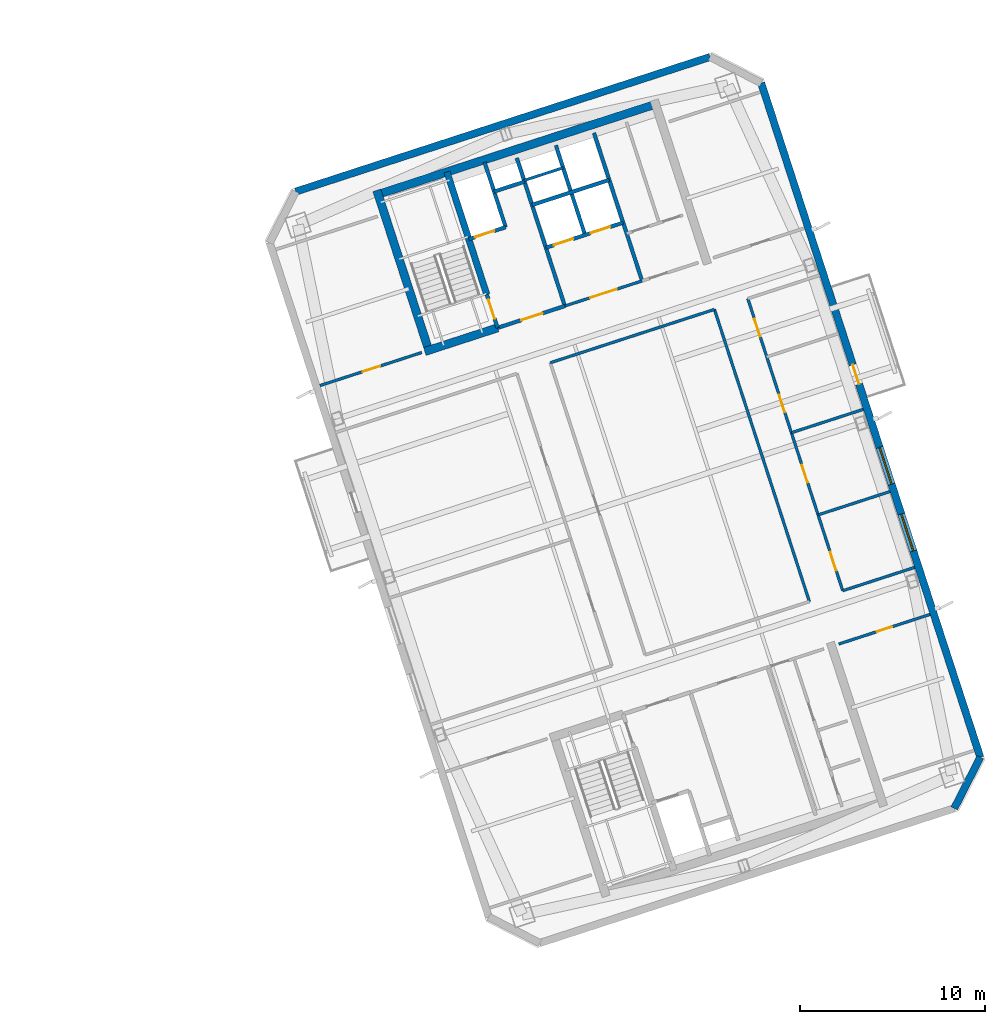
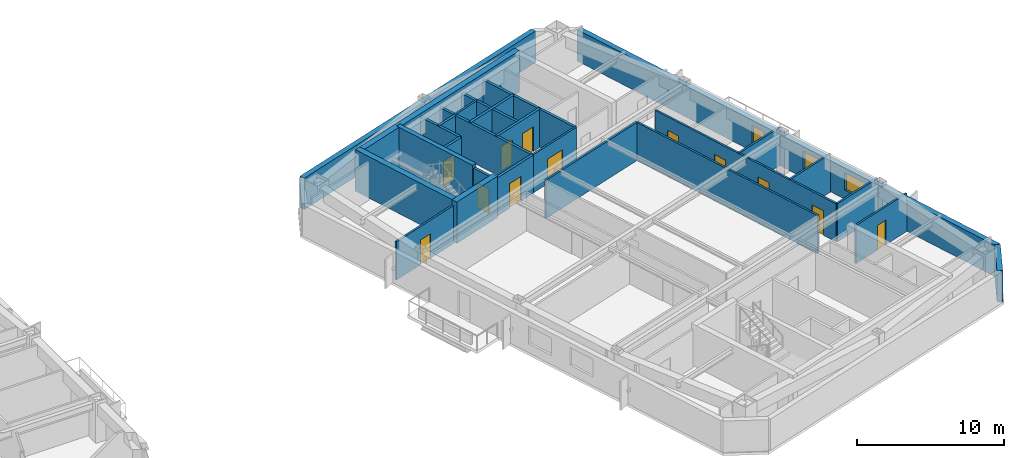
# One storey, part 9 of 17: 27 walls, 13 doors, 2 windows, 15 openings.
"""IFC4 building model written with IfcOpenShell, lengths in metres."""

import ifcopenshell
import ifcopenshell.guid

model = None  # the IFC model being written
_history = None  # IfcOwnerHistory: only IFC2X3 demands one
_inside = {}  # id of a spatial element -> (the spatial element, [elements in it])
_under = {}  # id of a project, library or spatial element -> (it, [spatial elements below it])
_declared = {}  # id of a project -> (the project, [libraries it declares])
_typed = {}  # id of a type object -> (the type object, [elements of that type])
_made_of = {}  # id of a material, layer set ... -> (it, [elements and type objects made of it])


def new_model(schema):
    """Start an empty IFC model of exactly this schema.

    Asked for "IFC4X3", IfcOpenShell would pick the latest addendum, in which some entities
    have other attributes; the version numbers below select the first issue.
    IFC2X3 requires an IfcOwnerHistory on every rooted entity: one is made here for all.
    """
    global model, _history
    if schema == "IFC4X3":
        model = ifcopenshell.file(schema_version=(4, 3, 0, 0))
    else:
        model = ifcopenshell.file(schema=schema)
    _inside.clear()
    _under.clear()
    _declared.clear()
    _typed.clear()
    _made_of.clear()
    _history = None
    if model.schema == "IFC2X3":
        org = make("IfcOrganization", Name="unknown")
        user = make(
            "IfcPersonAndOrganization",
            ThePerson=make("IfcPerson", FamilyName="unknown"),
            TheOrganization=org,
        )
        app = make(
            "IfcApplication",
            ApplicationDeveloper=org,
            Version="unknown",
            ApplicationFullName="unknown",
            ApplicationIdentifier="unknown",
        )
        _history = make(
            "IfcOwnerHistory",
            OwningUser=user,
            OwningApplication=app,
            ChangeAction="ADDED",
            CreationDate=0,
        )
    return model


def make(cls, **values):
    """One entity of the class cls with the attributes given. An attribute that is None is left unset."""
    return model.create_entity(
        cls, **{name: value for name, value in values.items() if value is not None}
    )


def rooted(cls, **values):
    """An entity with a GlobalId (a new one), such as an element, a storey or a relation."""
    return make(cls, GlobalId=ifcopenshell.guid.new(), OwnerHistory=_history, **values)


def si_unit(unit_type, name, prefix=None):
    """IfcSIUnit, for example si_unit("LENGTHUNIT", "METRE", prefix="MILLI")."""
    return make("IfcSIUnit", UnitType=unit_type, Prefix=prefix, Name=name)


def assignment(units):
    """IfcUnitAssignment: the units of a project."""
    return None if units is None else make("IfcUnitAssignment", Units=units)


def point(xyz):
    """IfcCartesianPoint."""
    return None if xyz is None else make("IfcCartesianPoint", Coordinates=xyz)


def direction(xyz):
    """IfcDirection."""
    return None if xyz is None else make("IfcDirection", DirectionRatios=xyz)


def frame(location, z_axis=None, x_axis=None):
    """IfcAxis2Placement3D, a coordinate frame: its origin and axes. An axis left out is left unset."""
    return make(
        "IfcAxis2Placement3D",
        Location=point(location),
        Axis=direction(z_axis),
        RefDirection=direction(x_axis),
    )


def frame_2d(location, x_axis=None):
    """IfcAxis2Placement2D, a coordinate frame in the plane: its origin and x axis."""
    return make(
        "IfcAxis2Placement2D", Location=point(location), RefDirection=direction(x_axis)
    )


def origin():
    """The frame at (0, 0, 0) with its axes left unset."""
    return frame((0.0, 0.0, 0.0))


def place(relative_to, where):
    """IfcLocalPlacement: puts the frame where relative to a parent placement (None: the world)."""
    return make(
        "IfcLocalPlacement", PlacementRelTo=relative_to, RelativePlacement=where
    )


def context(
    kind, dimensions, precision=None, world=None, true_north=None, identifier=None
):
    """IfcGeometricRepresentationContext, for example the 3D "Model" context."""
    return make(
        "IfcGeometricRepresentationContext",
        ContextIdentifier=identifier,
        ContextType=kind,
        CoordinateSpaceDimension=dimensions,
        Precision=precision,
        WorldCoordinateSystem=world,
        TrueNorth=true_north,
    )


def subcontext(parent, identifier, kind, view, scale=None):
    """IfcGeometricRepresentationSubContext, for example "Body" below "Model"."""
    return make(
        "IfcGeometricRepresentationSubContext",
        ContextIdentifier=identifier,
        ContextType=kind,
        ParentContext=parent,
        TargetScale=scale,
        TargetView=view,
    )


def project(units=None, contexts=None):
    """IfcProject with its units and contexts."""
    return rooted(
        "IfcProject",
        Name="project",
        RepresentationContexts=contexts,
        UnitsInContext=assignment(units),
    )


def spatial(cls, under=None, at=None, **own):
    """A site, building, storey or space (cls), placed at a placement, below another one or the project."""
    s = rooted(cls, ObjectPlacement=at, **own)
    if under is not None:
        _under.setdefault(under.id(), (under, []))[1].append(s)
    return s


def profile(cls, at=None, kind="AREA", **sizes):
    """A parametric profile (cls). Its sizes go by their IFC names, for example OverallWidth=200.0."""
    return make(cls, ProfileType=kind, Position=at, **sizes)


def rectangle(**sizes):
    """IfcRectangleProfileDef."""
    return profile("IfcRectangleProfileDef", **sizes)


def extrude(swept, where, along, depth):
    """IfcExtrudedAreaSolid: the profile swept, set in the frame where, extruded along a direction by depth."""
    return make(
        "IfcExtrudedAreaSolid",
        SweptArea=swept,
        Position=where,
        ExtrudedDirection=direction(along),
        Depth=depth,
    )


def shape(context_of_items, identifier, shape_type, items):
    """IfcShapeRepresentation: the items that make up one representation, for example the "Body"."""
    return make(
        "IfcShapeRepresentation",
        ContextOfItems=context_of_items,
        RepresentationIdentifier=identifier,
        RepresentationType=shape_type,
        Items=items,
    )


def material(Name=None, Category=None):
    """IfcMaterial."""
    return make("IfcMaterial", Name=Name, Category=Category)


def layer(
    of_material, thickness, ventilated=None, Name=None, Category=None, Priority=None
):
    """IfcMaterialLayer: one layer of a wall or slab, of a material (None: an air gap)."""
    return make(
        "IfcMaterialLayer",
        Material=of_material,
        LayerThickness=thickness,
        IsVentilated=ventilated,
        Name=Name,
        Category=Category,
        Priority=Priority,
    )


def layer_set(layers, Name=None):
    """IfcMaterialLayerSet."""
    return make("IfcMaterialLayerSet", MaterialLayers=layers, LayerSetName=Name)


def made_of(thing, what):
    """Note that an element or type object is made of a material, layer set ...; save() writes the relation."""
    if what is not None:
        _made_of.setdefault(what.id(), (what, []))[1].append(thing)
    return thing


def type_object(cls, material=None, **own):
    """A type object (cls), such as IfcWallType, which elements share."""
    return made_of(rooted(cls, **own), material)


def element(
    cls,
    number,
    at=None,
    inside=None,
    cuts=None,
    type_object=None,
    material=None,
    context=None,
    identifier="Body",
    shape_type=None,
    held_by="IfcProductDefinitionShape",
    body=None,
    shapes=None,
    **own,
):
    """One element of the class cls, such as IfcWall. Its Tag is "e" and its number.

    at: its placement. inside: the storey or other place that contains it. cuts: it is an
    opening in that element (IfcRelVoidsElement). A single representation is given by context,
    identifier, shape_type and body (its items); several are given by shapes. held_by: the class
    of the entity that holds the representations. save() writes the other relations.
    """
    e = rooted(cls, Tag="e%d" % number, ObjectPlacement=at, **own)
    if body is not None:
        shapes = [shape(context, identifier, shape_type, body)]
    if shapes is not None:
        e.Representation = make(held_by, Representations=shapes)
    if inside is not None:
        _inside.setdefault(inside.id(), (inside, []))[1].append(e)
    if cuts is not None:
        rooted(
            "IfcRelVoidsElement", RelatingBuildingElement=cuts, RelatedOpeningElement=e
        )
    if type_object is not None:
        _typed.setdefault(type_object.id(), (type_object, []))[1].append(e)
    return made_of(e, material)


def fill(opening, filler):
    """IfcRelFillsElement: the door or window that sits in an opening."""
    return rooted(
        "IfcRelFillsElement",
        RelatingOpeningElement=opening,
        RelatedBuildingElement=filler,
    )


def aggregate(whole, parts):
    """IfcRelAggregates: a whole, such as a stair, and the parts it consists of."""
    return rooted("IfcRelAggregates", RelatingObject=whole, RelatedObjects=parts)


def save(model, path):
    """Write the relations noted so far, then the file.

    IfcRelAggregates (storeys below a building ...), IfcRelContainedInSpatialStructure (elements
    in a storey), IfcRelDefinesByType, IfcRelAssociatesMaterial and IfcRelDeclares: one each for
    every whole, place, type object, material and project.
    """
    for whole, parts in _under.values():
        aggregate(whole, parts)
    for where, things in _inside.values():
        rooted(
            "IfcRelContainedInSpatialStructure",
            RelatedElements=things,
            RelatingStructure=where,
        )
    for kind, things in _typed.values():
        rooted("IfcRelDefinesByType", RelatedObjects=things, RelatingType=kind)
    for what, things in _made_of.values():
        rooted("IfcRelAssociatesMaterial", RelatedObjects=things, RelatingMaterial=what)
    for by, libraries in _declared.values():
        rooted("IfcRelDeclares", RelatingContext=by, RelatedDefinitions=libraries)
    model.write(path)


model = new_model("IFC4")

# Units and contexts
model_context = context("Model", 3, precision=1e-05, world=origin(), true_north=direction((0.0, 1.0)))
body_context = subcontext(model_context, "Body", "Model", "MODEL_VIEW")
ifc_project = project(units=[si_unit("LENGTHUNIT", "METRE"), si_unit("AREAUNIT", "SQUARE_METRE"), si_unit("VOLUMEUNIT", "CUBIC_METRE"), si_unit("PLANEANGLEUNIT", "RADIAN"), si_unit("MASSUNIT", "GRAM", prefix="KILO")], contexts=[model_context])

# Site, building, storey
site_placement = place(None, origin())
site = spatial("IfcSite", under=ifc_project, at=site_placement, CompositionType="ELEMENT")
building_placement = place(site_placement, origin())
building = spatial("IfcBuilding", under=site, at=building_placement, Name="Qiaolan Cultural Towers", CompositionType="ELEMENT")
storey_placement = place(building_placement, frame((0.0, 0.0, 205.85009765625)))
storey = spatial("IfcBuildingStorey", under=building, at=storey_placement, Name="L55", CompositionType="ELEMENT", Elevation=205.85009765625)

# Walls
ifc_material_1 = material(Name="Concrete C50", Category="concrete")
ifc_layer_1 = layer(ifc_material_1, 0.35009765625)
ifc_layer_set_1 = layer_set([ifc_layer_1], Name="Concrete C50")
wall_type_1 = type_object("IfcWallType", Name="WL-CORE-350", PredefinedType="SHEAR", material=ifc_layer_set_1)
wall_1_placement = place(storey_placement, frame((82.513671875, 45.13134765625, 0.0), z_axis=(0.0, 0.0, 1.0), x_axis=(-0.308988790936, 0.951065679686, 0.0)))
element("IfcWall", 1, at=wall_1_placement, inside=storey, type_object=wall_type_1, Name="L55 T2-CN Stair Core Dividing Web", PredefinedType="SHEAR", context=body_context, shape_type="SweptSolid", body=[
    extrude(rectangle(XDim=6.97998046875, YDim=0.35009765625, at=frame_2d((3.489990234375, 0.0))), origin(), (0.0, 0.0, 1.0), 3.449951171875),
])
ifc_material_2 = material(Name="Concrete C50", Category="concrete")
ifc_layer_2 = layer(ifc_material_2, 0.449951171875)
ifc_layer_set_2 = layer_set([ifc_layer_2], Name="Concrete C50")
wall_type_2 = type_object("IfcWallType", Name="WL-CORE-450", PredefinedType="SHEAR", material=ifc_layer_set_2)
wall_2_placement = place(storey_placement, frame((76.414794921875, 50.489013671875, 0.0), z_axis=(0.0, 0.0, 1.0), x_axis=(0.951056810414, 0.309016089169, 0.0)))
element("IfcWall", 2, at=wall_2_placement, inside=storey, type_object=wall_type_2, Name="L55 T2-CN Outer Core Shear Wall", PredefinedType="SHEAR", context=body_context, shape_type="SweptSolid", body=[
    extrude(rectangle(XDim=16.25, YDim=0.449951171875, at=frame_2d((8.125, 0.0))), origin(), (0.0, 0.0, 1.0), 3.449951171875),
])
wall_3_placement = place(storey_placement, frame((79.4423828125, 41.899169921875, 0.0), z_axis=(0.0, 0.0, 1.0), x_axis=(-0.309035778627, 0.951050412717, 0.0)))
element("IfcWall", 3, at=wall_3_placement, inside=storey, type_object=wall_type_2, Name="L55 T2-CN West Core Shear Wall", PredefinedType="SHEAR", context=body_context, shape_type="SweptSolid", body=[
    extrude(rectangle(XDim=9.330078125, YDim=0.449951171875, at=frame_2d((4.6650390625, 0.0))), origin(), (0.0, 0.0, 1.0), 3.449951171875),
])
wall_4_placement = place(storey_placement, frame((79.15869140625, 42.04345703125, 0.0), z_axis=(0.0, 0.0, 1.0), x_axis=(0.951047485828, 0.309044785913, 0.0)))
element("IfcWall", 4, at=wall_4_placement, inside=storey, type_object=wall_type_2, Name="L55 T2-CN Stair Front Shear Wall", PredefinedType="SHEAR", context=body_context, shape_type="SweptSolid", body=[
    extrude(rectangle(XDim=4.14501953125, YDim=0.449951171875, at=frame_2d((2.072509765625, 0.0))), origin(), (0.0, 0.0, 1.0), 3.449951171875),
])
ifc_material_3 = material(Name="Precast Concrete C50 Honed Stone Pier", Category="masonry")
ifc_layer_3 = layer(ifc_material_3, 0.39990234375)
ifc_layer_set_3 = layer_set([ifc_layer_3], Name="Precast Concrete C50 Honed Stone Pier")
wall_type_3 = type_object("IfcWallType", Name="WL-EXT-PIER-400", PredefinedType="SOLIDWALL", material=ifc_layer_set_3)
wall_5_placement = place(storey_placement, frame((72.16455078125, 50.706298828125, 0.0), z_axis=(0.0, 0.0, 1.0), x_axis=(0.951058012937, 0.309012388148, 0.0)))
element("IfcWall", 5, at=wall_5_placement, inside=storey, type_object=wall_type_3, Name="L55 East Tower Precast Pier Facade Wall F3", PredefinedType="SOLIDWALL", context=body_context, shape_type="SweptSolid", body=[
    extrude(rectangle(XDim=23.60009765625, YDim=0.39990234375, at=frame_2d((11.800048828125, 0.0))), origin(), (0.0, 0.0, 1.0), 2.60986328125),
])

# Wall, openings, door, windows
wall_6_placement = place(storey_placement, frame((97.381591796875, 56.58642578125, 0.0), z_axis=(0.0, 0.0, 1.0), x_axis=(0.309016491071, -0.951056679828, 0.0)))
wall_6 = element("IfcWall", 6, at=wall_6_placement, inside=storey, type_object=wall_type_3, Name="L55 East Tower Precast Pier Facade Wall F5", PredefinedType="SOLIDWALL", context=body_context, shape_type="SweptSolid", body=[
    extrude(rectangle(XDim=38.39990234375, YDim=0.39990234375, at=frame_2d((19.199951171875, 0.0))), origin(), (0.0, 0.0, 1.0), 2.60986328125),
])
opening_1_placement = place(wall_6_placement, frame((24.550048828125, 0.0, 0.75)))
opening_1 = element("IfcOpeningElement", 7, at=opening_1_placement, cuts=wall_6, Name="Opening W-05", PredefinedType="OPENING", context=body_context, shape_type="SweptSolid", body=[
    extrude(rectangle(XDim=2.10009765625, YDim=1.4599609375, at=frame_2d((1.050048828125, 0.72998046875))), frame((0.0, 0.2099609375, 0.0), z_axis=(0.0, -1.0, 0.0), x_axis=(1.0, 0.0, 0.0)), (0.0, 0.0, 1.0), 0.419921875),
])
opening_2_placement = place(wall_6_placement, frame((20.75, 0.0, 0.75)))
opening_2 = element("IfcOpeningElement", 8, at=opening_2_placement, cuts=wall_6, Name="Opening W-05", PredefinedType="OPENING", context=body_context, shape_type="SweptSolid", body=[
    extrude(rectangle(XDim=2.10009765625, YDim=1.4599609375, at=frame_2d((1.050048828125, 0.72998046875))), frame((0.0, 0.2099609375, 0.0), z_axis=(0.0, -1.0, 0.0), x_axis=(1.0, 0.0, 0.0)), (0.0, 0.0, 1.0), 0.419921875),
])
opening_3_placement = place(wall_6_placement, frame((16.050048828125, 0.0, 0.0)))
opening_3 = element("IfcOpeningElement", 9, at=opening_3_placement, cuts=wall_6, Name="Opening BD-01", PredefinedType="OPENING", context=body_context, shape_type="SweptSolid", body=[
    extrude(rectangle(XDim=1.10009765625, YDim=2.14990234375, at=frame_2d((0.550048828125, 1.074951171875))), frame((0.0, 0.2099609375, 0.0), z_axis=(0.0, -1.0, 0.0), x_axis=(1.0, 0.0, 0.0)), (0.0, 0.0, 1.0), 0.419921875),
])
ifc_material_4 = material(Name="Thermally Broken Aluminium Glazed Terrace Door", Category="aluminium")
door_type_1 = type_object("IfcDoorType", Name="DR-BAL-1100", OperationType="NOTDEFINED", PredefinedType="DOOR", material=ifc_material_4)
door_1_placement = place(opening_3_placement, origin())
door_1 = element("IfcDoor", 10, at=door_1_placement, inside=storey, type_object=door_type_1, Name="L55 T2 East Tree Balcony Door", OperationType="SINGLE_SWING_RIGHT", OverallHeight=2.14990234375, OverallWidth=1.10009765625, PredefinedType="DOOR", context=body_context, shape_type="SweptSolid", body=[
    extrude(rectangle(XDim=1.10009765625, YDim=2.14990234375, at=frame_2d((0.550048828125, 1.074951171875))), frame((0.0, 0.02490234375, 0.0), z_axis=(0.0, -1.0, 0.0), x_axis=(1.0, 0.0, 0.0)), (0.0, 0.0, 1.0), 0.050048828125),
])
fill(opening_3, door_1)
ifc_material_5 = material(Name="Thermally Broken Aluminium Triple Low-E Glazing", Category="aluminium")
window_type = type_object("IfcWindowType", Name="WN-CHIC-2100", PartitioningType="SINGLE_PANEL", PredefinedType="WINDOW", material=ifc_material_5)
window_1_placement = place(opening_1_placement, origin())
window_1 = element("IfcWindow", 11, at=window_1_placement, inside=storey, type_object=window_type, Name="L55 T2 E Chicago Bay Window 1", OverallHeight=1.4599609375, OverallWidth=2.10009765625, PartitioningType="TRIPLE_PANEL_VERTICAL", PredefinedType="WINDOW", context=body_context, shape_type="SweptSolid", body=[
    extrude(rectangle(XDim=2.10009765625, YDim=1.4599609375, at=frame_2d((1.050048828125, 0.72998046875))), frame((0.0, 0.030029296875, 0.0), z_axis=(0.0, -1.0, 0.0), x_axis=(1.0, 0.0, 0.0)), (0.0, 0.0, 1.0), 0.06005859375),
])
fill(opening_1, window_1)
window_2_placement = place(opening_2_placement, origin())
window_2 = element("IfcWindow", 12, at=window_2_placement, inside=storey, type_object=window_type, Name="L55 T2 E Chicago Bay Window 2", OverallHeight=1.4599609375, OverallWidth=2.10009765625, PartitioningType="TRIPLE_PANEL_VERTICAL", PredefinedType="WINDOW", context=body_context, shape_type="SweptSolid", body=[
    extrude(rectangle(XDim=2.10009765625, YDim=1.4599609375, at=frame_2d((1.050048828125, 0.72998046875))), frame((0.0, 0.030029296875, 0.0), z_axis=(0.0, -1.0, 0.0), x_axis=(1.0, 0.0, 0.0)), (0.0, 0.0, 1.0), 0.06005859375),
])
fill(opening_2, window_2)

# Wall
wall_7_placement = place(storey_placement, frame((109.247802734375, 20.06591796875, 0.0), z_axis=(0.0, 0.0, 1.0), x_axis=(-0.453949291228, -0.891027519774, 0.0)))
element("IfcWall", 13, at=wall_7_placement, inside=storey, type_object=wall_type_3, Name="L55 East Tower Precast Pier Facade Wall F6", PredefinedType="SOLIDWALL", context=body_context, shape_type="SweptSolid", body=[
    extrude(rectangle(XDim=3.111328125, YDim=0.39990234375, at=frame_2d((1.5556640625, 0.0))), origin(), (0.0, 0.0, 1.0), 2.60986328125),
])

# Wall, opening, door
ifc_material_6 = material(Name="Concrete C35 Fire Wall", Category="concrete")
ifc_layer_4 = layer(ifc_material_6, 0.199951171875)
ifc_layer_set_4 = layer_set([ifc_layer_4], Name="Concrete C35 Fire Wall")
wall_type_4 = type_object("IfcWallType", Name="WL-FIRE-200", PredefinedType="PARTITIONING", material=ifc_layer_set_4)
wall_8_placement = place(storey_placement, frame((83.100830078125, 43.324462890625, 0.0), z_axis=(0.0, 0.0, 1.0), x_axis=(-0.309048298632, 0.951046344356, 0.0)))
wall_8 = element("IfcWall", 14, at=wall_8_placement, inside=storey, type_object=wall_type_4, Name="L55 T2-CN Smokeproof Stair Entry Wall", PredefinedType="PARTITIONING", context=body_context, shape_type="SweptSolid", body=[
    extrude(rectangle(XDim=1.89990234375, YDim=0.199951171875, at=frame_2d((0.949951171875, 0.0))), origin(), (0.0, 0.0, 1.0), 3.1748046875),
])
opening_4_placement = place(wall_8_placement, frame((0.52001953125, 0.0, 0.0)))
opening_4 = element("IfcOpeningElement", 15, at=opening_4_placement, cuts=wall_8, Name="Opening FD-04", PredefinedType="OPENING", context=body_context, shape_type="SweptSolid", body=[
    extrude(rectangle(XDim=1.10009765625, YDim=2.050048828125, at=frame_2d((0.550048828125, 1.02490234375))), frame((0.0, 0.10986328125, 0.0), z_axis=(0.0, -1.0, 0.0), x_axis=(1.0, 0.0, 0.0)), (0.0, 0.0, 1.0), 0.219970703125),
])
ifc_material_7 = material(Name="Galvanized Steel Command Fire Door", Category="steel")
door_type_2 = type_object("IfcDoorType", Name="DR-FD90-1100", OperationType="NOTDEFINED", PredefinedType="DOOR", material=ifc_material_7)
door_2_placement = place(opening_4_placement, origin())
door_2 = element("IfcDoor", 16, at=door_2_placement, inside=storey, type_object=door_type_2, Name="L55 ST-E2 Smokeproof Stair Fire Door", OperationType="SINGLE_SWING_LEFT", OverallHeight=2.050048828125, OverallWidth=1.10009765625, PredefinedType="DOOR", context=body_context, shape_type="SweptSolid", body=[
    extrude(rectangle(XDim=1.10009765625, YDim=2.050048828125, at=frame_2d((0.550048828125, 1.02490234375))), frame((0.0, 0.02490234375, 0.0), z_axis=(0.0, -1.0, 0.0), x_axis=(1.0, 0.0, 0.0)), (0.0, 0.0, 1.0), 0.050048828125),
])
fill(opening_4, door_2)

# Wall
wall_9_placement = place(storey_placement, frame((86.743408203125, 44.508056640625, 0.0), z_axis=(0.0, 0.0, 1.0), x_axis=(-0.309016001439, 0.951056838919, 0.0)))
element("IfcWall", 17, at=wall_9_placement, inside=storey, type_object=wall_type_4, Name="L55 T2-CN Firefighting Zone Wall", PredefinedType="PARTITIONING", context=body_context, shape_type="SweptSolid", body=[
    extrude(rectangle(XDim=8.429931640625, YDim=0.199951171875, at=frame_2d((4.21484375, 0.0))), origin(), (0.0, 0.0, 1.0), 3.1748046875),
])

# Wall, opening, door
wall_10_placement = place(storey_placement, frame((83.100830078125, 43.324462890625, 0.0), z_axis=(0.0, 0.0, 1.0), x_axis=(0.951052804469, 0.309028417967, 0.0)))
wall_10 = element("IfcWall", 18, at=wall_10_placement, inside=storey, type_object=wall_type_4, Name="L55 T2-CN Firefighting Lobby Front Wall", PredefinedType="PARTITIONING", context=body_context, shape_type="SweptSolid", body=[
    extrude(rectangle(XDim=3.830078125, YDim=0.199951171875, at=frame_2d((1.9150390625, 0.0))), origin(), (0.0, 0.0, 1.0), 3.1748046875),
])
opening_5_placement = place(wall_10_placement, frame((1.35009765625, 0.0, 0.0)))
opening_5 = element("IfcOpeningElement", 19, at=opening_5_placement, cuts=wall_10, Name="Opening FD-03", PredefinedType="OPENING", context=body_context, shape_type="SweptSolid", body=[
    extrude(rectangle(XDim=1.199951171875, YDim=2.050048828125, at=frame_2d((0.60009765625, 1.02490234375))), frame((0.0, 0.10986328125, 0.0), z_axis=(0.0, -1.0, 0.0), x_axis=(1.0, 0.0, 0.0)), (0.0, 0.0, 1.0), 0.219970703125),
])
ifc_material_8 = material(Name="Galvanized Steel Smokeproof Lobby Fire Door", Category="steel")
door_type_3 = type_object("IfcDoorType", Name="DR-FD90-1200", OperationType="NOTDEFINED", PredefinedType="DOOR", material=ifc_material_8)
door_3_placement = place(opening_5_placement, origin())
door_3 = element("IfcDoor", 20, at=door_3_placement, inside=storey, type_object=door_type_3, Name="L55 FFL-E2 Firefighting Lobby Fire Door", OperationType="SINGLE_SWING_LEFT", OverallHeight=2.050048828125, OverallWidth=1.199951171875, PredefinedType="DOOR", context=body_context, shape_type="SweptSolid", body=[
    extrude(rectangle(XDim=1.199951171875, YDim=2.050048828125, at=frame_2d((0.60009765625, 1.02490234375))), frame((0.0, 0.02490234375, 0.0), z_axis=(0.0, -1.0, 0.0), x_axis=(1.0, 0.0, 0.0)), (0.0, 0.0, 1.0), 0.050048828125),
])
fill(opening_5, door_3)

wall_11_placement = place(storey_placement, frame((81.540283203125, 48.127197265625, 0.0), z_axis=(0.0, 0.0, 1.0), x_axis=(0.951062257173, 0.308999325213, 0.0)))
wall_11 = element("IfcWall", 21, at=wall_11_placement, inside=storey, type_object=wall_type_4, Name="L55 T2-CN Firefighting Shaft Front Wall", PredefinedType="PARTITIONING", context=body_context, shape_type="SweptSolid", body=[
    extrude(rectangle(XDim=2.10009765625, YDim=0.199951171875, at=frame_2d((1.050048828125, 0.0))), origin(), (0.0, 0.0, 1.0), 3.1748046875),
])
opening_6_placement = place(wall_11_placement, frame((0.35009765625, 0.0, 0.0)))
opening_6 = element("IfcOpeningElement", 22, at=opening_6_placement, cuts=wall_11, Name="Opening LD-01", PredefinedType="OPENING", context=body_context, shape_type="SweptSolid", body=[
    extrude(rectangle(XDim=1.10009765625, YDim=2.050048828125, at=frame_2d((0.550048828125, 1.02490234375))), frame((0.0, 0.10986328125, 0.0), z_axis=(0.0, -1.0, 0.0), x_axis=(1.0, 0.0, 0.0)), (0.0, 0.0, 1.0), 0.219970703125),
])
ifc_material_9 = material(Name="Brushed Stainless Steel S30408 Centre-Parting Lift Landing Door", Category="steel")
door_type_4 = type_object("IfcDoorType", Name="DR-LIFT-1100", OperationType="NOTDEFINED", PredefinedType="DOOR", material=ifc_material_9)
door_4_placement = place(opening_6_placement, origin())
door_4 = element("IfcDoor", 23, at=door_4_placement, inside=storey, type_object=door_type_4, Name="L55 FFL-E2 Firefighting Lift Landing Door", OperationType="DOUBLE_DOOR_SLIDING", OverallHeight=2.050048828125, OverallWidth=1.10009765625, PredefinedType="DOOR", context=body_context, shape_type="SweptSolid", body=[
    extrude(rectangle(XDim=1.10009765625, YDim=2.050048828125, at=frame_2d((0.550048828125, 1.02490234375))), frame((0.0, 0.02490234375, 0.0), z_axis=(0.0, -1.0, 0.0), x_axis=(1.0, 0.0, 0.0)), (0.0, 0.0, 1.0), 0.050048828125),
])
fill(opening_6, door_4)

# Walls
wall_12_placement = place(storey_placement, frame((83.53759765625, 48.776123046875, 0.0), z_axis=(0.0, 0.0, 1.0), x_axis=(-0.3089935693, 0.951064127245, 0.0)))
element("IfcWall", 24, at=wall_12_placement, inside=storey, type_object=wall_type_4, Name="L55 T2-CN Firefighting Hoistway East Wall", PredefinedType="PARTITIONING", context=body_context, shape_type="SweptSolid", body=[
    extrude(rectangle(XDim=3.7001953125, YDim=0.199951171875, at=frame_2d((1.85009765625, 0.0))), origin(), (0.0, 0.0, 1.0), 3.1748046875),
])
wall_13_placement = place(storey_placement, frame((82.910400390625, 50.706787109375, 0.0), z_axis=(0.0, 0.0, 1.0), x_axis=(0.951041328149, 0.309063734775, 0.0)))
element("IfcWall", 25, at=wall_13_placement, inside=storey, type_object=wall_type_4, Name="L55 T2-CN Pressurization Shaft Front Wall", PredefinedType="PARTITIONING", context=body_context, shape_type="SweptSolid", body=[
    extrude(rectangle(XDim=1.72998046875, YDim=0.199951171875, at=frame_2d((0.864990234375, 0.0))), origin(), (0.0, 0.0, 1.0), 3.1748046875),
])
wall_14_placement = place(storey_placement, frame((90.92822265625, 45.86767578125, 0.0), z_axis=(0.0, 0.0, 1.0), x_axis=(-0.309042196757, 0.951048327176, 0.0)))
element("IfcWall", 26, at=wall_14_placement, inside=storey, type_object=wall_type_4, Name="L55 T2-CN Lift Core East Wall", PredefinedType="PARTITIONING", context=body_context, shape_type="SweptSolid", body=[
    extrude(rectangle(XDim=8.429931640625, YDim=0.199951171875, at=frame_2d((4.21484375, 0.0))), origin(), (0.0, 0.0, 1.0), 3.1748046875),
])

# Wall, openings, doors
wall_15_placement = place(storey_placement, frame((85.717529296875, 47.66552734375, 0.0), z_axis=(0.0, 0.0, 1.0), x_axis=(0.951058531764, 0.30901079133, 0.0)))
wall_15 = element("IfcWall", 27, at=wall_15_placement, inside=storey, type_object=wall_type_4, Name="L55 T2-CN Passenger Lift Shaft Front Wall", PredefinedType="PARTITIONING", context=body_context, shape_type="SweptSolid", body=[
    extrude(rectangle(XDim=4.39990234375, YDim=0.199951171875, at=frame_2d((2.199951171875, 0.0))), origin(), (0.0, 0.0, 1.0), 3.1748046875),
])
opening_7_placement = place(wall_15_placement, frame((0.449951171875, 0.0, 0.0)))
opening_7 = element("IfcOpeningElement", 28, at=opening_7_placement, cuts=wall_15, Name="Opening LD-01", PredefinedType="OPENING", context=body_context, shape_type="SweptSolid", body=[
    extrude(rectangle(XDim=1.10009765625, YDim=2.050048828125, at=frame_2d((0.550048828125, 1.02490234375))), frame((0.0, 0.10986328125, 0.0), z_axis=(0.0, -1.0, 0.0), x_axis=(1.0, 0.0, 0.0)), (0.0, 0.0, 1.0), 0.219970703125),
])
opening_8_placement = place(wall_15_placement, frame((2.550048828125, 0.0, 0.0)))
opening_8 = element("IfcOpeningElement", 29, at=opening_8_placement, cuts=wall_15, Name="Opening LD-01", PredefinedType="OPENING", context=body_context, shape_type="SweptSolid", body=[
    extrude(rectangle(XDim=1.10009765625, YDim=2.050048828125, at=frame_2d((0.550048828125, 1.02490234375))), frame((0.0, 0.10986328125, 0.0), z_axis=(0.0, -1.0, 0.0), x_axis=(1.0, 0.0, 0.0)), (0.0, 0.0, 1.0), 0.219970703125),
])
door_5_placement = place(opening_7_placement, origin())
door_5 = element("IfcDoor", 30, at=door_5_placement, inside=storey, type_object=door_type_4, Name="L55 Passenger Lift 1 Landing Door", OperationType="DOUBLE_DOOR_SLIDING", OverallHeight=2.050048828125, OverallWidth=1.10009765625, PredefinedType="DOOR", context=body_context, shape_type="SweptSolid", body=[
    extrude(rectangle(XDim=1.10009765625, YDim=2.050048828125, at=frame_2d((0.550048828125, 1.02490234375))), frame((0.0, 0.02490234375, 0.0), z_axis=(0.0, -1.0, 0.0), x_axis=(1.0, 0.0, 0.0)), (0.0, 0.0, 1.0), 0.050048828125),
])
fill(opening_7, door_5)
door_6_placement = place(opening_8_placement, origin())
door_6 = element("IfcDoor", 31, at=door_6_placement, inside=storey, type_object=door_type_4, Name="L55 Passenger Lift 2 Landing Door", OperationType="DOUBLE_DOOR_SLIDING", OverallHeight=2.050048828125, OverallWidth=1.10009765625, PredefinedType="DOOR", context=body_context, shape_type="SweptSolid", body=[
    extrude(rectangle(XDim=1.10009765625, YDim=2.050048828125, at=frame_2d((0.550048828125, 1.02490234375))), frame((0.0, 0.02490234375, 0.0), z_axis=(0.0, -1.0, 0.0), x_axis=(1.0, 0.0, 0.0)), (0.0, 0.0, 1.0), 0.050048828125),
])
fill(opening_8, door_6)

# Walls
wall_16_placement = place(storey_placement, frame((87.83837890625, 48.3544921875, 0.0), z_axis=(0.0, 0.0, 1.0), x_axis=(-0.3090093719, 0.951058992953, 0.0)))
element("IfcWall", 32, at=wall_16_placement, inside=storey, type_object=wall_type_4, Name="L55 T2-CN Lift Shaft Divider Wall", PredefinedType="PARTITIONING", context=body_context, shape_type="SweptSolid", body=[
    extrude(rectangle(XDim=5.110107421875, YDim=0.199951171875, at=frame_2d((2.55517578125, 0.0))), origin(), (0.0, 0.0, 1.0), 3.1748046875),
])
wall_17_placement = place(storey_placement, frame((84.966552734375, 49.9765625, 0.0), z_axis=(0.0, 0.0, 1.0), x_axis=(0.951063829732, 0.308994485023, 0.0)))
element("IfcWall", 33, at=wall_17_placement, inside=storey, type_object=wall_type_4, Name="L55 T2-CN Passenger Lift Shaft Back Wall", PredefinedType="PARTITIONING", context=body_context, shape_type="SweptSolid", body=[
    extrude(rectangle(XDim=4.400146484375, YDim=0.199951171875, at=frame_2d((2.2001953125, 0.0))), origin(), (0.0, 0.0, 1.0), 3.1748046875),
])

# Wall, opening, door
ifc_material_10 = material(Name="Autoclaved Aerated Concrete Block B06", Category="concrete")
ifc_layer_5 = layer(ifc_material_10, 0.14990234375)
ifc_layer_set_5 = layer_set([ifc_layer_5], Name="Autoclaved Aerated Concrete Block B06")
wall_type_5 = type_object("IfcWallType", Name="WL-PART-150", PredefinedType="PARTITIONING", material=ifc_layer_set_5)
wall_18_placement = place(storey_placement, frame((86.743408203125, 44.508056640625, 0.0), z_axis=(0.0, 0.0, 1.0), x_axis=(0.951063829732, 0.308994485023, 0.0)))
wall_18 = element("IfcWall", 34, at=wall_18_placement, inside=storey, type_object=wall_type_5, Name="L55 T2-CN Passenger Lift Lobby Front Wall", PredefinedType="PARTITIONING", context=body_context, shape_type="SweptSolid", body=[
    extrude(rectangle(XDim=4.400146484375, YDim=0.14990234375, at=frame_2d((2.2001953125, 0.0))), origin(), (0.0, 0.0, 1.0), 3.1748046875),
])
opening_9_placement = place(wall_18_placement, frame((1.449951171875, 0.0, 0.0)))
opening_9 = element("IfcOpeningElement", 35, at=opening_9_placement, cuts=wall_18, Name="Opening FD-05", PredefinedType="OPENING", context=body_context, shape_type="SweptSolid", body=[
    extrude(rectangle(XDim=1.5, YDim=2.050048828125, at=frame_2d((0.75, 1.02490234375))), frame((0.0, 0.0849609375, 0.0), z_axis=(0.0, -1.0, 0.0), x_axis=(1.0, 0.0, 0.0)), (0.0, 0.0, 1.0), 0.169921875),
])
ifc_material_11 = material(Name="Painted Steel Lift Lobby Fire Door", Category="steel")
door_type_5 = type_object("IfcDoorType", Name="DR-FD60-1500", OperationType="NOTDEFINED", PredefinedType="DOOR", material=ifc_material_11)
door_7_placement = place(opening_9_placement, origin())
door_7 = element("IfcDoor", 36, at=door_7_placement, inside=storey, type_object=door_type_5, Name="L55 Passenger Lift Lobby Entrance", OperationType="SINGLE_SWING_LEFT", OverallHeight=2.050048828125, OverallWidth=1.5, PredefinedType="DOOR", context=body_context, shape_type="SweptSolid", body=[
    extrude(rectangle(XDim=1.5, YDim=2.050048828125, at=frame_2d((0.75, 1.02490234375))), frame((0.0, 0.02490234375, 0.0), z_axis=(0.0, -1.0, 0.0), x_axis=(1.0, 0.0, 0.0)), (0.0, 0.0, 1.0), 0.050048828125),
])
fill(opening_9, door_7)

# Wall
wall_19_placement = place(storey_placement, frame((84.533935546875, 51.30810546875, 0.0), z_axis=(0.0, 0.0, 1.0), x_axis=(0.951075093106, 0.308959814982, 0.0)))
element("IfcWall", 37, at=wall_19_placement, inside=storey, type_object=wall_type_5, Name="L55 T2-CN Core Rear Riser Split", PredefinedType="PARTITIONING", context=body_context, shape_type="SweptSolid", body=[
    extrude(rectangle(XDim=2.22998046875, YDim=0.14990234375, at=frame_2d((1.114990234375, 0.0))), origin(), (0.0, 0.0, 1.0), 3.1748046875),
])

# Wall, opening, door
wall_20_placement = place(storey_placement, frame((101.578369140625, 26.196044921875, 0.0), z_axis=(0.0, 0.0, 1.0), x_axis=(0.951064427824, 0.308992644131, 0.0)))
wall_20 = element("IfcWall", 38, at=wall_20_placement, inside=storey, type_object=wall_type_5, Name="L55 T2 Flank Front FLK-SE", PredefinedType="PARTITIONING", context=body_context, shape_type="SweptSolid", body=[
    extrude(rectangle(XDim=5.19970703125, YDim=0.14990234375, at=frame_2d((2.599853515625, 0.0))), origin(), (0.0, 0.0, 1.0), 3.1748046875),
])
opening_10_placement = place(wall_20_placement, frame((2.18408203125, 0.0, 0.0)))
opening_10 = element("IfcOpeningElement", 39, at=opening_10_placement, cuts=wall_20, Name="Opening ID-09", PredefinedType="OPENING", context=body_context, shape_type="SweptSolid", body=[
    extrude(rectangle(XDim=0.85009765625, YDim=2.050048828125, at=frame_2d((0.425048828125, 1.02490234375))), frame((0.0, 0.0849609375, 0.0), z_axis=(0.0, -1.0, 0.0), x_axis=(1.0, 0.0, 0.0)), (0.0, 0.0, 1.0), 0.169921875),
])
ifc_material_12 = material(Name="Moisture-Resistant Laminate Utility Door", Category="timber")
door_type_6 = type_object("IfcDoorType", Name="DR-INT-850", OperationType="NOTDEFINED", PredefinedType="DOOR", material=ifc_material_12)
door_8_placement = place(opening_10_placement, origin())
door_8 = element("IfcDoor", 40, at=door_8_placement, inside=storey, type_object=door_type_6, Name="L55 T2 Corner Studio Door", OperationType="SINGLE_SWING_LEFT", OverallHeight=2.050048828125, OverallWidth=0.85009765625, PredefinedType="DOOR", context=body_context, shape_type="SweptSolid", body=[
    extrude(rectangle(XDim=0.85009765625, YDim=2.050048828125, at=frame_2d((0.425048828125, 1.02490234375))), frame((0.0, 0.02490234375, 0.0), z_axis=(0.0, -1.0, 0.0), x_axis=(1.0, 0.0, 0.0)), (0.0, 0.0, 1.0), 0.050048828125),
])
fill(opening_10, door_8)

wall_21_placement = place(storey_placement, frame((73.476318359375, 40.197265625, 0.0), z_axis=(0.0, 0.0, 1.0), x_axis=(0.951059431056, 0.309008023519, 0.0)))
wall_21 = element("IfcWall", 41, at=wall_21_placement, inside=storey, type_object=wall_type_5, Name="L55 T2 Flank Front FLK-NW", PredefinedType="PARTITIONING", context=body_context, shape_type="SweptSolid", body=[
    extrude(rectangle(XDim=5.800048828125, YDim=0.14990234375, at=frame_2d((2.89990234375, 0.0))), origin(), (0.0, 0.0, 1.0), 3.1748046875),
])
opening_11_placement = place(wall_21_placement, frame((2.43603515625, 0.0, 0.0)))
opening_11 = element("IfcOpeningElement", 42, at=opening_11_placement, cuts=wall_21, Name="Opening ID-04", PredefinedType="OPENING", context=body_context, shape_type="SweptSolid", body=[
    extrude(rectangle(XDim=1.0, YDim=2.050048828125, at=frame_2d((0.5, 1.02490234375))), frame((0.0, 0.0849609375, 0.0), z_axis=(0.0, -1.0, 0.0), x_axis=(1.0, 0.0, 0.0)), (0.0, 0.0, 1.0), 0.169921875),
])
ifc_material_13 = material(Name="Oak Veneer Acoustic Office Door", Category="timber")
door_type_7 = type_object("IfcDoorType", Name="DR-INT-1000", OperationType="NOTDEFINED", PredefinedType="DOOR", material=ifc_material_13)
door_9_placement = place(opening_11_placement, origin())
door_9 = element("IfcDoor", 43, at=door_9_placement, inside=storey, type_object=door_type_7, Name="L55 T2 Corner Studio Door", OperationType="SINGLE_SWING_LEFT", OverallHeight=2.050048828125, OverallWidth=1.0, PredefinedType="DOOR", context=body_context, shape_type="SweptSolid", body=[
    extrude(rectangle(XDim=1.0, YDim=2.050048828125, at=frame_2d((0.5, 1.02490234375))), frame((0.0, 0.02490234375, 0.0), z_axis=(0.0, -1.0, 0.0), x_axis=(1.0, 0.0, 0.0)), (0.0, 0.0, 1.0), 0.050048828125),
])
fill(opening_11, door_9)

# Walls
wall_22_placement = place(storey_placement, frame((101.79638671875, 29.084716796875, 0.0), z_axis=(0.0, 0.0, 1.0), x_axis=(0.951061634685, 0.309001241148, 0.0)))
element("IfcWall", 44, at=wall_22_placement, inside=storey, type_object=wall_type_5, Name="L55 T2 Interior Wall", PredefinedType="PARTITIONING", context=body_context, shape_type="SweptSolid", body=[
    extrude(rectangle(XDim=4.099853515625, YDim=0.14990234375, at=frame_2d((2.0498046875, 0.0))), origin(), (0.0, 0.0, 1.0), 3.1748046875),
])
wall_23_placement = place(storey_placement, frame((85.954833984375, 41.433837890625, 0.0), z_axis=(0.0, 0.0, 1.0), x_axis=(0.951053063704, 0.309027620156, 0.0)))
element("IfcWall", 45, at=wall_23_placement, inside=storey, type_object=wall_type_5, Name="L55 T2 Interior Wall", PredefinedType="PARTITIONING", context=body_context, shape_type="SweptSolid", body=[
    extrude(rectangle(XDim=9.35009765625, YDim=0.14990234375, at=frame_2d((4.675048828125, 0.0))), origin(), (0.0, 0.0, 1.0), 3.1748046875),
])
wall_24_placement = place(storey_placement, frame((99.9892578125, 28.49755859375, 0.0), z_axis=(0.0, 0.0, 1.0), x_axis=(-0.30901773025, 0.951056277195, 0.0)))
element("IfcWall", 46, at=wall_24_placement, inside=storey, type_object=wall_type_5, Name="L55 T2 Interior Wall", PredefinedType="PARTITIONING", context=body_context, shape_type="SweptSolid", body=[
    extrude(rectangle(XDim=16.64013671875, YDim=0.14990234375, at=frame_2d((8.320068359375, 0.0))), origin(), (0.0, 0.0, 1.0), 3.1748046875),
])

# Wall, openings, doors
wall_25_placement = place(storey_placement, frame((101.79638671875, 29.084716796875, 0.0), z_axis=(0.0, 0.0, 1.0), x_axis=(-0.309022042254, 0.951054876125, 0.0)))
wall_25 = element("IfcWall", 47, at=wall_25_placement, inside=storey, type_object=wall_type_5, Name="L55 T2 Interior Wall", PredefinedType="PARTITIONING", context=body_context, shape_type="SweptSolid", body=[
    extrude(rectangle(XDim=16.639892578125, YDim=0.14990234375, at=frame_2d((8.31982421875, 0.0))), origin(), (0.0, 0.0, 1.0), 3.1748046875),
])
opening_12_placement = place(wall_25_placement, frame((1.159912109375, 0.0, 0.0)))
opening_12 = element("IfcOpeningElement", 48, at=opening_12_placement, cuts=wall_25, Name="Opening ID-07", PredefinedType="OPENING", context=body_context, shape_type="SweptSolid", body=[
    extrude(rectangle(XDim=1.050048828125, YDim=2.050048828125, at=frame_2d((0.52490234375, 1.02490234375))), frame((0.0, 0.0849609375, 0.0), z_axis=(0.0, -1.0, 0.0), x_axis=(1.0, 0.0, 0.0)), (0.0, 0.0, 1.0), 0.169921875),
])
opening_13_placement = place(wall_25_placement, frame((6.159912109375, 0.0, 0.0)))
opening_13 = element("IfcOpeningElement", 49, at=opening_13_placement, cuts=wall_25, Name="Opening ID-04", PredefinedType="OPENING", context=body_context, shape_type="SweptSolid", body=[
    extrude(rectangle(XDim=1.0, YDim=2.050048828125, at=frame_2d((0.5, 1.02490234375))), frame((0.0, 0.0849609375, 0.0), z_axis=(0.0, -1.0, 0.0), x_axis=(1.0, 0.0, 0.0)), (0.0, 0.0, 1.0), 0.169921875),
])
opening_14_placement = place(wall_25_placement, frame((10.159912109375, 0.0, 0.0)))
opening_14 = element("IfcOpeningElement", 50, at=opening_14_placement, cuts=wall_25, Name="Opening ID-04", PredefinedType="OPENING", context=body_context, shape_type="SweptSolid", body=[
    extrude(rectangle(XDim=1.0, YDim=2.050048828125, at=frame_2d((0.5, 1.02490234375))), frame((0.0, 0.0849609375, 0.0), z_axis=(0.0, -1.0, 0.0), x_axis=(1.0, 0.0, 0.0)), (0.0, 0.0, 1.0), 0.169921875),
])
opening_15_placement = place(wall_25_placement, frame((14.47998046875, 0.0, 0.0)))
opening_15 = element("IfcOpeningElement", 51, at=opening_15_placement, cuts=wall_25, Name="Opening ID-04", PredefinedType="OPENING", context=body_context, shape_type="SweptSolid", body=[
    extrude(rectangle(XDim=1.0, YDim=2.050048828125, at=frame_2d((0.5, 1.02490234375))), frame((0.0, 0.0849609375, 0.0), z_axis=(0.0, -1.0, 0.0), x_axis=(1.0, 0.0, 0.0)), (0.0, 0.0, 1.0), 0.169921875),
])
door_10_placement = place(opening_13_placement, origin())
door_10 = element("IfcDoor", 52, at=door_10_placement, inside=storey, type_object=door_type_7, Name="L55 T2 Seminar Room Door", OperationType="SINGLE_SWING_RIGHT", OverallHeight=2.050048828125, OverallWidth=1.0, PredefinedType="DOOR", context=body_context, shape_type="SweptSolid", body=[
    extrude(rectangle(XDim=1.0, YDim=2.050048828125, at=frame_2d((0.5, 1.02490234375))), frame((0.0, 0.02490234375, 0.0), z_axis=(0.0, -1.0, 0.0), x_axis=(1.0, 0.0, 0.0)), (0.0, 0.0, 1.0), 0.050048828125),
])
fill(opening_13, door_10)
door_11_placement = place(opening_14_placement, origin())
door_11 = element("IfcDoor", 53, at=door_11_placement, inside=storey, type_object=door_type_7, Name="L55 T2 Seminar Room Door", OperationType="SINGLE_SWING_LEFT", OverallHeight=2.050048828125, OverallWidth=1.0, PredefinedType="DOOR", context=body_context, shape_type="SweptSolid", body=[
    extrude(rectangle(XDim=1.0, YDim=2.050048828125, at=frame_2d((0.5, 1.02490234375))), frame((0.0, 0.02490234375, 0.0), z_axis=(0.0, -1.0, 0.0), x_axis=(1.0, 0.0, 0.0)), (0.0, 0.0, 1.0), 0.050048828125),
])
fill(opening_14, door_11)
door_12_placement = place(opening_15_placement, origin())
door_12 = element("IfcDoor", 54, at=door_12_placement, inside=storey, type_object=door_type_7, Name="L55 T2 Medical Station Door", OperationType="SINGLE_SWING_LEFT", OverallHeight=2.050048828125, OverallWidth=1.0, PredefinedType="DOOR", context=body_context, shape_type="SweptSolid", body=[
    extrude(rectangle(XDim=1.0, YDim=2.050048828125, at=frame_2d((0.5, 1.02490234375))), frame((0.0, 0.02490234375, 0.0), z_axis=(0.0, -1.0, 0.0), x_axis=(1.0, 0.0, 0.0)), (0.0, 0.0, 1.0), 0.050048828125),
])
fill(opening_15, door_12)
ifc_material_14 = material(Name="Oak Veneer Consultation Door", Category="timber")
door_type_8 = type_object("IfcDoorType", Name="DR-INT-1050", OperationType="NOTDEFINED", PredefinedType="DOOR", material=ifc_material_14)
door_13_placement = place(opening_12_placement, origin())
door_13 = element("IfcDoor", 55, at=door_13_placement, inside=storey, type_object=door_type_8, Name="L55 T2 Cultural Exchange Shop Door", OperationType="SINGLE_SWING_RIGHT", OverallHeight=2.050048828125, OverallWidth=1.050048828125, PredefinedType="DOOR", context=body_context, shape_type="SweptSolid", body=[
    extrude(rectangle(XDim=1.050048828125, YDim=2.050048828125, at=frame_2d((0.52490234375, 1.02490234375))), frame((0.0, 0.02490234375, 0.0), z_axis=(0.0, -1.0, 0.0), x_axis=(1.0, 0.0, 0.0)), (0.0, 0.0, 1.0), 0.050048828125),
])
fill(opening_12, door_13)

# Walls
wall_26_placement = place(storey_placement, frame((100.46142578125, 33.193359375, 0.0), z_axis=(0.0, 0.0, 1.0), x_axis=(0.951061634685, 0.309001241148, 0.0)))
element("IfcWall", 56, at=wall_26_placement, inside=storey, type_object=wall_type_5, Name="L55 T2 Interior Wall", PredefinedType="PARTITIONING", context=body_context, shape_type="SweptSolid", body=[
    extrude(rectangle(XDim=4.099853515625, YDim=0.14990234375, at=frame_2d((2.0498046875, 0.0))), origin(), (0.0, 0.0, 1.0), 3.1748046875),
])
wall_27_placement = place(storey_placement, frame((99.01513671875, 37.644287109375, 0.0), z_axis=(0.0, 0.0, 1.0), x_axis=(0.951067320073, 0.308983741789, 0.0)))
element("IfcWall", 57, at=wall_27_placement, inside=storey, type_object=wall_type_5, Name="L55 T2 Interior Wall", PredefinedType="PARTITIONING", context=body_context, shape_type="SweptSolid", body=[
    extrude(rectangle(XDim=4.10009765625, YDim=0.14990234375, at=frame_2d((2.050048828125, 0.0))), origin(), (0.0, 0.0, 1.0), 3.1748046875),
])

save(model, "model.ifc")
